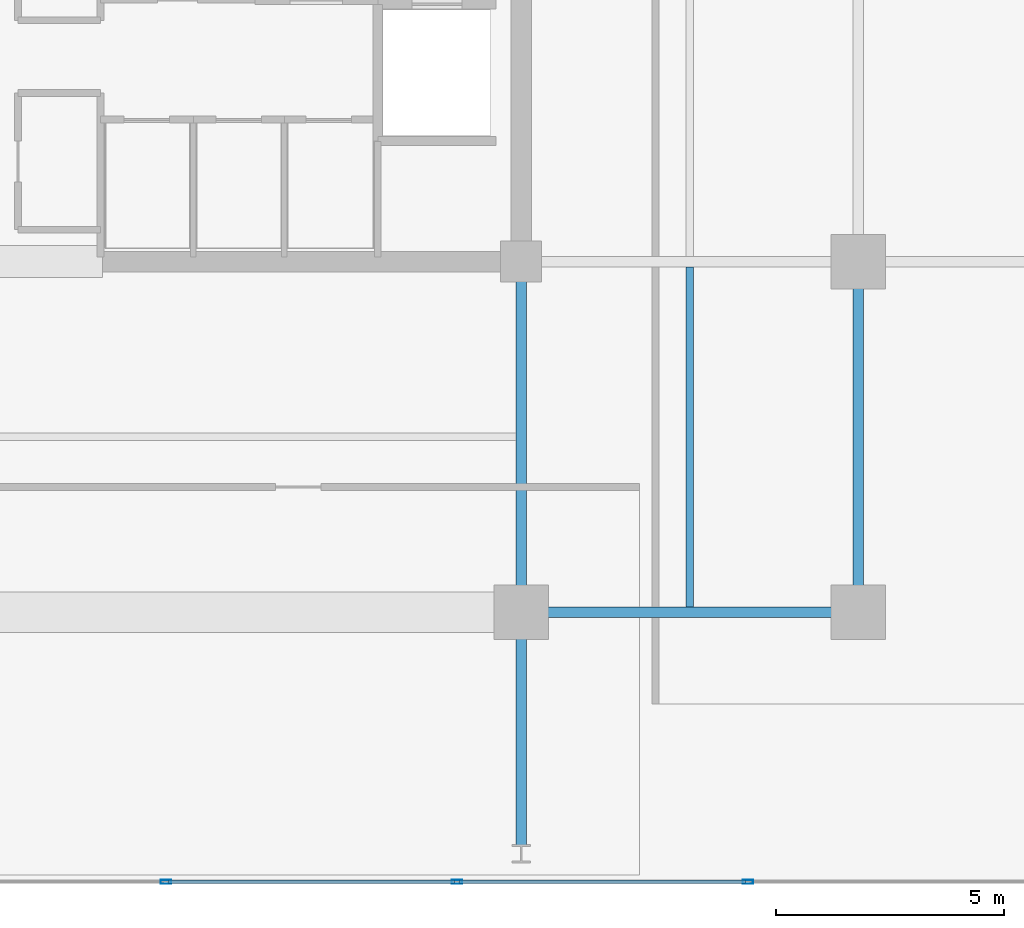
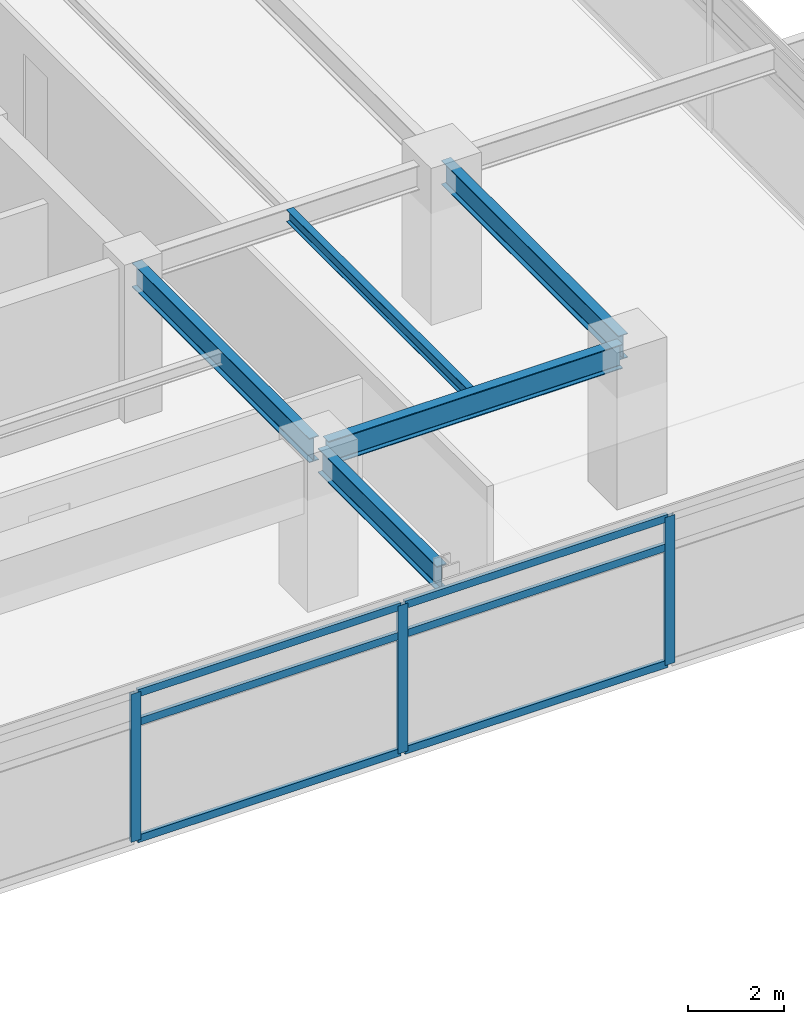
# One storey, part 6 of 21: 9 members, 5 beams, 1 element without a shape of its own.
"""IFC4 building model written with IfcOpenShell, lengths in metres."""

from ifc_helpers import new_model, si_unit, direction, frame, origin, origin_2d, place, context, subcontext, project, spatial, hollow_rectangle, i_section, extrude, material, material_profile, profile_set, type_object, element, aggregate, save


model = new_model("IFC4")

# Units and contexts
model_context = context("Model", 3, precision=1e-05, world=origin(), true_north=direction((0.0, 1.0)))
body_context = subcontext(model_context, "Body", "Model", "MODEL_VIEW")
ifc_project = project(units=[si_unit("LENGTHUNIT", "METRE"), si_unit("AREAUNIT", "SQUARE_METRE"), si_unit("VOLUMEUNIT", "CUBIC_METRE"), si_unit("PLANEANGLEUNIT", "RADIAN"), si_unit("MASSUNIT", "GRAM", prefix="KILO")], contexts=[model_context])

# Site, building, storey
site_placement = place(None, origin())
site = spatial("IfcSite", under=ifc_project, at=site_placement, CompositionType="ELEMENT")
building_placement = place(site_placement, origin())
building = spatial("IfcBuilding", under=site, at=building_placement, Name="Kovane Verandah Tower", CompositionType="ELEMENT")
storey_placement = place(building_placement, frame((0.0, 0.0, 247.199951171875)))
storey = spatial("IfcBuildingStorey", under=building, at=storey_placement, Name="L57", CompositionType="ELEMENT", Elevation=247.199951171875)

# Beams
ifc_material_1 = material(Name="Steel S355", Category="steel")
ifc_material_profile_1 = material_profile(ifc_material_1, i_section(OverallWidth=0.230224609375, OverallDepth=0.6171875, WebThickness=0.01318359375, FlangeThickness=0.022216796875, FilletRadius=0.0126953125, at=origin_2d()), Name="UB610x229x140")
ifc_profile_set_1 = profile_set([ifc_material_profile_1], Name="Steel S355")
beam_type_1 = type_object("IfcBeamType", Name="BM-UB610x140", PredefinedType="BEAM", material=ifc_profile_set_1)
beam_1_placement = place(storey_placement, frame((51.179931640625, 10.800048828125, 3.4765625), z_axis=(1.0, 0.0, 0.0), x_axis=(0.0, 1.0, 0.0)))
element("IfcBeam", 1, at=beam_1_placement, inside=storey, type_object=beam_type_1, Name="L57 Primary Tower Girder G-RS3", PredefinedType="BEAM", context=body_context, shape_type="SweptSolid", body=[
    extrude(i_section(OverallWidth=0.230224609375, OverallDepth=0.6171875, WebThickness=0.01318359375, FlangeThickness=0.022216796875, FilletRadius=0.0126953125, at=origin_2d()), origin(), (0.0, 0.0, 1.0), 7.0400390625),
])
for number, where, z_axis, x_axis, name in (
    (2, (58.39990234375, 10.97998046875, 3.4765625), (0.0, 1.0, 0.0), (-1.0, 0.0, 0.0), "L57 Primary Tower Girder G-RE1"),
    (3, (51.0, 18.320068359375, 3.4765625), (0.0, -1.0, 0.0), (1.0, 0.0, 0.0), "L57 Primary Tower Girder G-S2"),
):
    element("IfcBeam", number, at=place(storey_placement, frame(where, z_axis=z_axis, x_axis=x_axis)), inside=storey, type_object=beam_type_1, Name=name, PredefinedType="BEAM", context=body_context, shape_type="SweptSolid", body=[
        extrude(i_section(OverallWidth=0.230224609375, OverallDepth=0.6171875, WebThickness=0.01318359375, FlangeThickness=0.022216796875, FilletRadius=0.0126953125, at=origin_2d()), origin(), (0.0, 0.0, 1.0), 7.340087890625),
    ])
beam_2_placement = place(storey_placement, frame((51.0, 10.6201171875, 3.451416015625), z_axis=(0.0, -1.0, 0.0), x_axis=(1.0, 0.0, 0.0)))
element("IfcBeam", 4, at=beam_2_placement, inside=storey, type_object=beam_type_1, Name="L57 Primary Tower Girder G-VS2", PredefinedType="BEAM", context=body_context, shape_type="SweptSolid", body=[
    extrude(i_section(OverallWidth=0.230224609375, OverallDepth=0.6171875, WebThickness=0.01318359375, FlangeThickness=0.022216796875, FilletRadius=0.0126953125, at=origin_2d()), origin(), (0.0, 0.0, 1.0), 4.940185546875),
])

# Curtain wall, members
ifc_material_2 = material(Name="Champagne Anodised Aluminium Frame with Low-E Clear Laminated Glass", Category="aluminium")
curtain_wall_type = type_object("IfcCurtainWallType", Name="CW-SYS-05-HIGH", PredefinedType="NOTDEFINED", material=ifc_material_2)
curtain_wall_placement = place(storey_placement, origin())
curtain_wall = element("IfcCurtainWall", 5, at=curtain_wall_placement, inside=storey, type_object=curtain_wall_type, Name="L57 S Unitised Curtain Wall", PredefinedType="NOTDEFINED")
ifc_material_3 = material(Name="Champagne Anodised Aluminium 6063-T6", Category="aluminium")
ifc_material_profile_2 = material_profile(ifc_material_3, hollow_rectangle(XDim=0.0849609375, YDim=0.22998046875, WallThickness=0.00390625, at=origin_2d()), Name="AL85x230x4")
ifc_profile_set_2 = profile_set([ifc_material_profile_2], Name="Champagne Anodised Aluminium 6063-T6")
member_type_1 = type_object("IfcMemberType", Name="CW-MUL-85x230", PredefinedType="MULLION", material=ifc_profile_set_2)
member_1_placement = place(storey_placement, frame((43.1953125, 4.8818359375, 0.02001953125), z_axis=(0.0, 0.0, 1.0), x_axis=(0.0, -1.0, 0.0)))
member_1 = element("IfcMember", 6, at=member_1_placement, type_object=member_type_1, Name="L57 S Unitised Curtain Wall Mullion 5", PredefinedType="MULLION", context=body_context, shape_type="SweptSolid", body=[
    extrude(hollow_rectangle(XDim=0.0849609375, YDim=0.22998046875, WallThickness=0.00390625, at=origin_2d()), origin(), (0.0, 0.0, 1.0), 3.7451171875),
])
member_2_placement = place(storey_placement, frame((49.585693359375, 4.8818359375, 0.02001953125), z_axis=(0.0, 0.0, 1.0), x_axis=(0.0, -1.0, 0.0)))
member_2 = element("IfcMember", 7, at=member_2_placement, type_object=member_type_1, Name="L57 S Unitised Curtain Wall Mullion 6", PredefinedType="MULLION", context=body_context, shape_type="SweptSolid", body=[
    extrude(hollow_rectangle(XDim=0.0849609375, YDim=0.22998046875, WallThickness=0.00390625, at=origin_2d()), origin(), (0.0, 0.0, 1.0), 3.7451171875),
])
member_3_placement = place(storey_placement, frame((55.97607421875, 4.8818359375, 0.02001953125), z_axis=(0.0, 0.0, 1.0), x_axis=(0.0, -1.0, 0.0)))
member_3 = element("IfcMember", 8, at=member_3_placement, type_object=member_type_1, Name="L57 S Unitised Curtain Wall Mullion 7", PredefinedType="MULLION", context=body_context, shape_type="SweptSolid", body=[
    extrude(hollow_rectangle(XDim=0.0849609375, YDim=0.22998046875, WallThickness=0.00390625, at=origin_2d()), origin(), (0.0, 0.0, 1.0), 3.7451171875),
])
ifc_material_profile_3 = material_profile(ifc_material_3, hollow_rectangle(XDim=0.0849609375, YDim=0.18994140625, WallThickness=0.00390625, at=origin_2d()), Name="AL85x190x4")
ifc_profile_set_3 = profile_set([ifc_material_profile_3], Name="Champagne Anodised Aluminium 6063-T6")
member_type_2 = type_object("IfcMemberType", Name="CW-TRN-85x190", PredefinedType="USERDEFINED", material=ifc_profile_set_3)
member_4_placement = place(storey_placement, frame((43.2451171875, 4.8818359375, 0.050048828125), z_axis=(1.0, 0.0, 0.0), x_axis=(0.0, 1.0, 0.0)))
member_4 = element("IfcMember", 9, at=member_4_placement, type_object=member_type_2, Name="L57 S Unitised Curtain Wall Transom TB Bay 5", ObjectType="TRANSOM", PredefinedType="USERDEFINED", context=body_context, shape_type="SweptSolid", body=[
    extrude(hollow_rectangle(XDim=0.0849609375, YDim=0.18994140625, WallThickness=0.00390625, at=origin_2d()), origin(), (0.0, 0.0, 1.0), 6.29052734375),
])
member_5_placement = place(storey_placement, frame((43.2451171875, 4.8818359375, 3.005126953125), z_axis=(1.0, 0.0, 0.0), x_axis=(0.0, 1.0, 0.0)))
member_5 = element("IfcMember", 10, at=member_5_placement, type_object=member_type_2, Name="L57 S Unitised Curtain Wall Transom TM Bay 5", ObjectType="TRANSOM", PredefinedType="USERDEFINED", context=body_context, shape_type="SweptSolid", body=[
    extrude(hollow_rectangle(XDim=0.0849609375, YDim=0.18994140625, WallThickness=0.00390625, at=origin_2d()), origin(), (0.0, 0.0, 1.0), 6.29052734375),
])
member_6_placement = place(storey_placement, frame((43.2451171875, 4.8818359375, 3.735107421875), z_axis=(1.0, 0.0, 0.0), x_axis=(0.0, 1.0, 0.0)))
member_6 = element("IfcMember", 11, at=member_6_placement, type_object=member_type_2, Name="L57 S Unitised Curtain Wall Transom TT Bay 5", ObjectType="TRANSOM", PredefinedType="USERDEFINED", context=body_context, shape_type="SweptSolid", body=[
    extrude(hollow_rectangle(XDim=0.0849609375, YDim=0.18994140625, WallThickness=0.00390625, at=origin_2d()), origin(), (0.0, 0.0, 1.0), 6.29052734375),
])
member_7_placement = place(storey_placement, frame((49.635498046875, 4.8818359375, 0.050048828125), z_axis=(1.0, 0.0, 0.0), x_axis=(0.0, 1.0, 0.0)))
member_7 = element("IfcMember", 12, at=member_7_placement, type_object=member_type_2, Name="L57 S Unitised Curtain Wall Transom TB Bay 6", ObjectType="TRANSOM", PredefinedType="USERDEFINED", context=body_context, shape_type="SweptSolid", body=[
    extrude(hollow_rectangle(XDim=0.0849609375, YDim=0.18994140625, WallThickness=0.00390625, at=origin_2d()), origin(), (0.0, 0.0, 1.0), 6.29052734375),
])
member_8_placement = place(storey_placement, frame((49.635498046875, 4.8818359375, 3.005126953125), z_axis=(1.0, 0.0, 0.0), x_axis=(0.0, 1.0, 0.0)))
member_8 = element("IfcMember", 13, at=member_8_placement, type_object=member_type_2, Name="L57 S Unitised Curtain Wall Transom TM Bay 6", ObjectType="TRANSOM", PredefinedType="USERDEFINED", context=body_context, shape_type="SweptSolid", body=[
    extrude(hollow_rectangle(XDim=0.0849609375, YDim=0.18994140625, WallThickness=0.00390625, at=origin_2d()), origin(), (0.0, 0.0, 1.0), 6.29052734375),
])
member_9_placement = place(storey_placement, frame((49.635498046875, 4.8818359375, 3.735107421875), z_axis=(1.0, 0.0, 0.0), x_axis=(0.0, 1.0, 0.0)))
member_9 = element("IfcMember", 14, at=member_9_placement, type_object=member_type_2, Name="L57 S Unitised Curtain Wall Transom TT Bay 6", ObjectType="TRANSOM", PredefinedType="USERDEFINED", context=body_context, shape_type="SweptSolid", body=[
    extrude(hollow_rectangle(XDim=0.0849609375, YDim=0.18994140625, WallThickness=0.00390625, at=origin_2d()), origin(), (0.0, 0.0, 1.0), 6.29052734375),
])
aggregate(curtain_wall, [member_1, member_2, member_3, member_4, member_5, member_6, member_7, member_8, member_9])

# Beam
ifc_material_profile_4 = material_profile(ifc_material_1, i_section(OverallWidth=0.1669921875, OverallDepth=0.310302734375, WebThickness=0.0078125, FlangeThickness=0.013671875, FilletRadius=0.0087890625, at=origin_2d()), Name="UB305x165x54")
ifc_profile_set_4 = profile_set([ifc_material_profile_4], Name="Steel S355")
beam_type_2 = type_object("IfcBeamType", Name="JST-UB305x54", PredefinedType="JOIST", material=ifc_profile_set_4)
beam_3_placement = place(storey_placement, frame((54.699951171875, 10.9130859375, 3.6298828125), z_axis=(0.0, 1.0, 0.0), x_axis=(-1.0, 0.0, 0.0)))
element("IfcBeam", 15, at=beam_3_placement, inside=storey, type_object=beam_type_2, Name="L57 Secondary Composite Joist J-SE1", PredefinedType="JOIST", context=body_context, shape_type="SweptSolid", body=[
    extrude(i_section(OverallWidth=0.1669921875, OverallDepth=0.310302734375, WebThickness=0.0078125, FlangeThickness=0.013671875, FilletRadius=0.0087890625, at=origin_2d()), origin(), (0.0, 0.0, 1.0), 7.473876953125),
])

save(model, "model.ifc")
